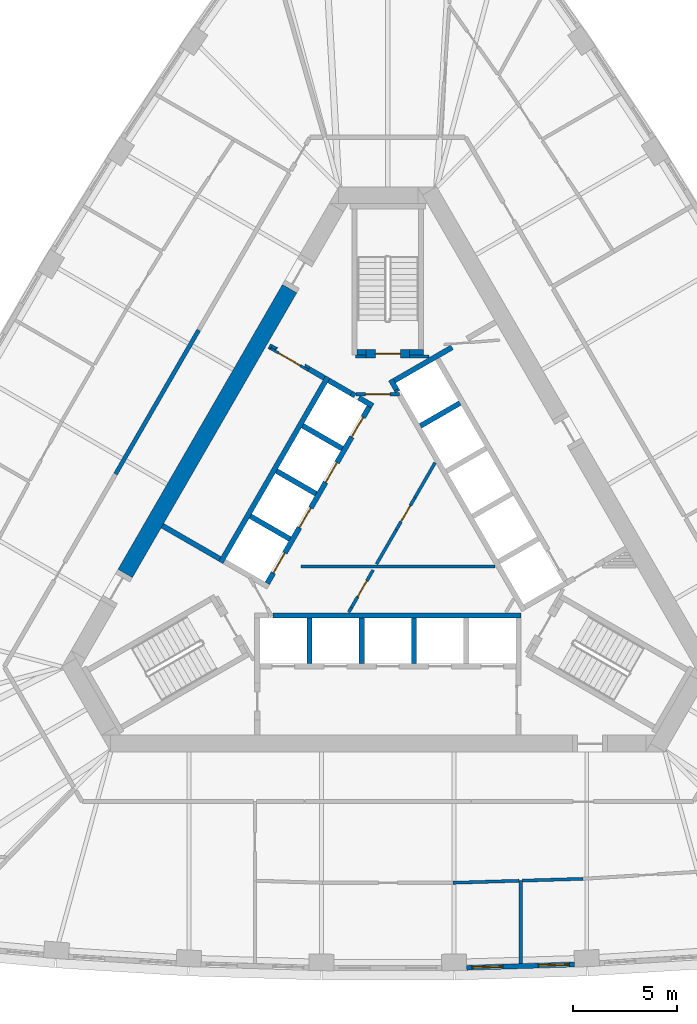
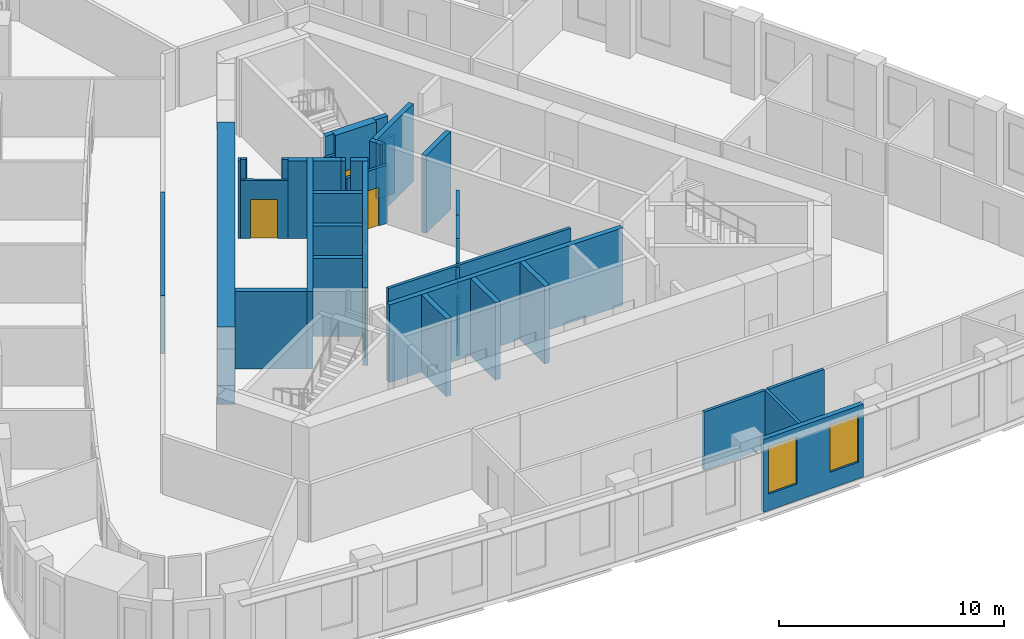
# One storey, part 5 of 11: 40 walls, 9 doors, 2 windows, 11 openings.
"""IFC4 building model written with IfcOpenShell, lengths in metres."""

from ifc_helpers import new_model, si_unit, direction, frame, frame_2d, origin, place, context, subcontext, project, spatial, polyline, rectangle, outline, extrude, material, layer, layer_set, type_object, element, fill, save


model = new_model("IFC4")

# Units and contexts
model_context = context("Model", 3, precision=1e-05, world=origin(), true_north=direction((0.0, 1.0)))
body_context = subcontext(model_context, "Body", "Model", "MODEL_VIEW")
ifc_project = project(units=[si_unit("LENGTHUNIT", "METRE"), si_unit("AREAUNIT", "SQUARE_METRE"), si_unit("VOLUMEUNIT", "CUBIC_METRE"), si_unit("PLANEANGLEUNIT", "RADIAN"), si_unit("MASSUNIT", "GRAM", prefix="KILO")], contexts=[model_context])

# Site, building, storey
site_placement = place(None, origin())
site = spatial("IfcSite", under=ifc_project, at=site_placement, CompositionType="ELEMENT")
building_placement = place(site_placement, origin())
building = spatial("IfcBuilding", under=site, at=building_placement, Name="Mestral Congress Tower", CompositionType="ELEMENT")
storey_placement = place(building_placement, frame((0.0, 0.0, 171.0)))
storey = spatial("IfcBuildingStorey", under=building, at=storey_placement, Name="L40", CompositionType="ELEMENT", Elevation=171.0)

# Walls
ifc_material_1 = material(Name="Fire-rated board partition")
ifc_layer_1 = layer(ifc_material_1, 0.14990234375)
ifc_layer_set_1 = layer_set([ifc_layer_1], Name="Fire-rated board partition")
wall_type_1 = type_object("IfcWallType", Name="Core partition 150", PredefinedType="PARTITIONING", material=ifc_layer_set_1)
wall_1_placement = place(storey_placement, frame((1.050048828125, 8.62548828125, 0.0), z_axis=(0.0, 0.0, 1.0), x_axis=(1.0, 0.0, 0.0)))
element("IfcWall", 1, at=wall_1_placement, inside=storey, type_object=wall_type_1, Name="L40 core wall", PredefinedType="PARTITIONING", context=body_context, shape_type="SweptSolid", body=[
    extrude(rectangle(XDim=0.9287109375, YDim=0.14990234375, at=frame_2d((0.46435546875, 0.0))), origin(), (0.0, 0.0, 1.0), 3.14990234375),
])
wall_2_placement = place(storey_placement, frame((-1.56396484375, 8.62548828125, 0.0), z_axis=(0.0, 0.0, 1.0), x_axis=(1.0, 0.0, 0.0)))
element("IfcWall", 2, at=wall_2_placement, inside=storey, type_object=wall_type_1, Name="L40 core wall", PredefinedType="PARTITIONING", context=body_context, shape_type="SweptSolid", body=[
    extrude(rectangle(XDim=0.513916015625, YDim=0.14990234375, at=frame_2d((0.2568359375, 0.0))), origin(), (0.0, 0.0, 1.0), 3.14990234375),
])
wall_3_placement = place(storey_placement, frame((-4.199951171875, -1.5, 0.0), z_axis=(0.0, 0.0, 1.0), x_axis=(1.0, 0.0, 0.0)))
element("IfcWall", 3, at=wall_3_placement, inside=storey, type_object=wall_type_1, Name="L40 core wall", PredefinedType="PARTITIONING", context=body_context, shape_type="SweptSolid", body=[
    extrude(rectangle(XDim=9.359375, YDim=0.14990234375, at=frame_2d((4.6796875, 0.0))), origin(), (0.0, 0.0, 1.0), 3.14990234375),
])
wall_4_placement = place(storey_placement, frame((-0.54443359375, -1.393310546875, 0.0), z_axis=(0.0, 0.0, 1.0), x_axis=(0.499928740635, 0.866066541489, 0.0)))
element("IfcWall", 4, at=wall_4_placement, inside=storey, type_object=wall_type_1, Name="L40 core wall", PredefinedType="PARTITIONING", context=body_context, shape_type="SweptSolid", body=[
    extrude(rectangle(XDim=1.912353515625, YDim=0.14990234375, at=frame_2d((0.9560546875, 0.0))), origin(), (0.0, 0.0, 1.0), 3.14990234375),
])
wall_5_placement = place(storey_placement, frame((1.311767578125, 1.822021484375, 0.0), z_axis=(0.0, 0.0, 1.0), x_axis=(0.500003549559, 0.866023354436, 0.0)))
element("IfcWall", 5, at=wall_5_placement, inside=storey, type_object=wall_type_1, Name="L40 core wall", PredefinedType="PARTITIONING", context=body_context, shape_type="SweptSolid", body=[
    extrude(rectangle(XDim=1.9296875, YDim=0.14990234375, at=frame_2d((0.96484375, 0.0))), origin(), (0.0, 0.0, 1.0), 3.14990234375),
])
wall_6_placement = place(storey_placement, frame((-1.886962890625, -3.71826171875, 0.0), z_axis=(0.0, 0.0, 1.0), x_axis=(0.500165633897, 0.865929753888, 0.0)))
element("IfcWall", 6, at=wall_6_placement, inside=storey, type_object=wall_type_1, Name="L40 core wall", PredefinedType="PARTITIONING", context=body_context, shape_type="SweptSolid", body=[
    extrude(rectangle(XDim=0.25439453125, YDim=0.14990234375, at=frame_2d((0.127197265625, 0.0))), origin(), (0.0, 0.0, 1.0), 3.14990234375),
])

# Wall, opening, door
wall_7_placement = place(storey_placement, frame((-1.759765625, -3.498046875, 0.0), z_axis=(0.0, 0.0, 1.0), x_axis=(0.499977374825, 0.866038466041, 0.0)))
wall_7 = element("IfcWall", 7, at=wall_7_placement, inside=storey, type_object=wall_type_1, Name="L40 door wall", PredefinedType="PARTITIONING", context=body_context, shape_type="SweptSolid", body=[
    extrude(rectangle(XDim=2.10009765625, YDim=0.14990234375, at=frame_2d((1.050048828125, 0.0))), origin(), (0.0, 0.0, 1.0), 3.14990234375),
])
opening_1_placement = place(wall_7_placement, frame((0.60009765625, 0.0, 0.0)))
opening_1 = element("IfcOpeningElement", 8, at=opening_1_placement, cuts=wall_7, Name="Opening CD1-HUB0", PredefinedType="OPENING", context=body_context, shape_type="SweptSolid", body=[
    extrude(rectangle(XDim=0.89990234375, YDim=2.10009765625, at=frame_2d((0.449951171875, 1.050048828125))), frame((0.0, 0.0849609375, 0.0), z_axis=(0.0, -1.0, 0.0), x_axis=(1.0, 0.0, 0.0)), (0.0, 0.0, 1.0), 0.169921875),
])
ifc_material_2 = material(Name="Fire-rated steel door set", Category="steel")
door_type_1 = type_object("IfcDoorType", Name="Core door CD 900x2100", OperationType="SINGLE_SWING_LEFT", PredefinedType="DOOR", material=ifc_material_2)
door_1_placement = place(opening_1_placement, origin())
door_1 = element("IfcDoor", 9, at=door_1_placement, inside=storey, type_object=door_type_1, Name="Door CD1-HUB0", OperationType="SINGLE_SWING_LEFT", OverallHeight=2.10009765625, OverallWidth=0.89990234375, PredefinedType="DOOR", context=body_context, shape_type="SweptSolid", body=[
    extrude(rectangle(XDim=0.89990234375, YDim=2.10009765625, at=frame_2d((0.449951171875, 1.050048828125))), frame((0.0, 0.02490234375, 0.0), z_axis=(0.0, -1.0, 0.0), x_axis=(1.0, 0.0, 0.0)), (0.0, 0.0, 1.0), 0.050048828125),
])
fill(opening_1, door_1)

wall_8_placement = place(storey_placement, frame((-1.534423828125, 6.800048828125, 0.0), z_axis=(0.0, 0.0, 1.0), x_axis=(1.0, 0.0, 0.0)))
wall_8 = element("IfcWall", 10, at=wall_8_placement, inside=storey, type_object=wall_type_1, Name="L40 door wall", PredefinedType="PARTITIONING", context=body_context, shape_type="SweptSolid", body=[
    extrude(rectangle(XDim=2.099853515625, YDim=0.14990234375, at=frame_2d((1.0498046875, 0.0))), origin(), (0.0, 0.0, 1.0), 3.14990234375),
])
opening_2_placement = place(wall_8_placement, frame((0.449951171875, 0.0, 0.0)))
opening_2 = element("IfcOpeningElement", 11, at=opening_2_placement, cuts=wall_8, Name="Opening CD2-FF", PredefinedType="OPENING", context=body_context, shape_type="SweptSolid", body=[
    extrude(rectangle(XDim=1.199951171875, YDim=2.10009765625, at=frame_2d((0.60009765625, 1.050048828125))), frame((0.0, 0.0849609375, 0.0), z_axis=(0.0, -1.0, 0.0), x_axis=(1.0, 0.0, 0.0)), (0.0, 0.0, 1.0), 0.169921875),
])
door_type_2 = type_object("IfcDoorType", Name="Core door CD 1200x2100", OperationType="SINGLE_SWING_LEFT", PredefinedType="DOOR", material=ifc_material_2)
door_2_placement = place(opening_2_placement, origin())
door_2 = element("IfcDoor", 12, at=door_2_placement, inside=storey, type_object=door_type_2, Name="Door CD2-FF", OperationType="SINGLE_SWING_LEFT", OverallHeight=2.10009765625, OverallWidth=1.199951171875, PredefinedType="DOOR", context=body_context, shape_type="SweptSolid", body=[
    extrude(rectangle(XDim=1.199951171875, YDim=2.10009765625, at=frame_2d((0.60009765625, 1.050048828125))), frame((0.0, 0.02490234375, 0.0), z_axis=(0.0, -1.0, 0.0), x_axis=(1.0, 0.0, 0.0)), (0.0, 0.0, 1.0), 0.050048828125),
])
fill(opening_2, door_2)

wall_9_placement = place(storey_placement, frame((0.41162109375, 0.26318359375, 0.0), z_axis=(0.0, 0.0, 1.0), x_axis=(0.500062916607, 0.865989075817, 0.0)))
wall_9 = element("IfcWall", 13, at=wall_9_placement, inside=storey, type_object=wall_type_1, Name="L40 door wall", PredefinedType="PARTITIONING", context=body_context, shape_type="SweptSolid", body=[
    extrude(rectangle(XDim=1.800048828125, YDim=0.14990234375, at=frame_2d((0.89990234375, 0.0))), origin(), (0.0, 0.0, 1.0), 3.14990234375),
])
opening_3_placement = place(wall_9_placement, frame((0.449951171875, 0.0, 0.0)))
opening_3 = element("IfcOpeningElement", 14, at=opening_3_placement, cuts=wall_9, Name="Opening SD-HUB1", PredefinedType="OPENING", context=body_context, shape_type="SweptSolid", body=[
    extrude(rectangle(XDim=0.89990234375, YDim=2.10009765625, at=frame_2d((0.449951171875, 1.050048828125))), frame((0.0, 0.0849609375, 0.0), z_axis=(0.0, -1.0, 0.0), x_axis=(1.0, 0.0, 0.0)), (0.0, 0.0, 1.0), 0.169921875),
])
door_type_3 = type_object("IfcDoorType", Name="Core door SR 900x2100", OperationType="SINGLE_SWING_LEFT", PredefinedType="DOOR", material=ifc_material_2)
door_3_placement = place(opening_3_placement, origin())
door_3 = element("IfcDoor", 15, at=door_3_placement, inside=storey, type_object=door_type_3, Name="Door SD-HUB1", OperationType="SINGLE_SWING_LEFT", OverallHeight=2.10009765625, OverallWidth=0.89990234375, PredefinedType="DOOR", context=body_context, shape_type="SweptSolid", body=[
    extrude(rectangle(XDim=0.89990234375, YDim=2.10009765625, at=frame_2d((0.449951171875, 1.050048828125))), frame((0.0, 0.02490234375, 0.0), z_axis=(0.0, -1.0, 0.0), x_axis=(1.0, 0.0, 0.0)), (0.0, 0.0, 1.0), 0.050048828125),
])
fill(opening_3, door_3)

ifc_layer_2 = layer(ifc_material_1, 0.1201171875)
ifc_layer_set_2 = layer_set([ifc_layer_2], Name="Fire-rated board partition")
wall_type_2 = type_object("IfcWallType", Name="Core partition 150 door-wall 120", PredefinedType="PARTITIONING", material=ifc_layer_set_2)
wall_10_placement = place(storey_placement, frame((-5.65869140625, 9.01171875, 0.0), z_axis=(0.0, 0.0, 1.0), x_axis=(0.866009402589, -0.500027713859, 0.0)))
wall_10 = element("IfcWall", 16, at=wall_10_placement, inside=storey, type_object=wall_type_2, Name="L40 door wall", PredefinedType="PARTITIONING", context=body_context, shape_type="SweptSolid", body=[
    extrude(rectangle(XDim=2.10009765625, YDim=0.1201171875, at=frame_2d((1.050048828125, 0.0))), origin(), (0.0, 0.0, 1.0), 3.14990234375),
])
opening_4_placement = place(wall_10_placement, frame((0.449951171875, 0.0, 0.0)))
opening_4 = element("IfcOpeningElement", 17, at=opening_4_placement, cuts=wall_10, Name="Opening LB2-WL2", PredefinedType="OPENING", context=body_context, shape_type="SweptSolid", body=[
    extrude(rectangle(XDim=1.199951171875, YDim=2.10009765625, at=frame_2d((0.60009765625, 1.050048828125))), frame((0.0, 0.070068359375, 0.0), z_axis=(0.0, -1.0, 0.0), x_axis=(1.0, 0.0, 0.0)), (0.0, 0.0, 1.0), 0.14013671875),
])
door_type_4 = type_object("IfcDoorType", Name="Core door LB 1200x2100", OperationType="SINGLE_SWING_LEFT", PredefinedType="DOOR", material=ifc_material_2)
door_4_placement = place(opening_4_placement, origin())
door_4 = element("IfcDoor", 18, at=door_4_placement, inside=storey, type_object=door_type_4, Name="Door LB2-WL2", OperationType="SINGLE_SWING_LEFT", OverallHeight=2.10009765625, OverallWidth=1.199951171875, PredefinedType="DOOR", context=body_context, shape_type="SweptSolid", body=[
    extrude(rectangle(XDim=1.199951171875, YDim=2.10009765625, at=frame_2d((0.60009765625, 1.050048828125))), frame((0.0, 0.02490234375, 0.0), z_axis=(0.0, -1.0, 0.0), x_axis=(1.0, 0.0, 0.0)), (0.0, 0.0, 1.0), 0.050048828125),
])
fill(opening_4, door_4)

# Wall
ifc_material_3 = material(Name="Concrete C60/75", Category="concrete")
ifc_layer_3 = layer(ifc_material_3, 0.800048828125)
ifc_layer_set_3 = layer_set([ifc_layer_3], Name="Concrete C60/75")
wall_type_3 = type_object("IfcWallType", Name="Core wall RC 800", PredefinedType="SOLIDWALL", material=ifc_layer_set_3)
wall_11_placement = place(storey_placement, frame((-12.668212890625, -1.841796875, 0.0), z_axis=(0.0, 0.0, 1.0), x_axis=(0.500003640647, 0.866023301845, 0.0)))
element("IfcWall", 19, at=wall_11_placement, inside=storey, type_object=wall_type_3, Name="L40 core wall", PredefinedType="SOLIDWALL", context=body_context, shape_type="SweptSolid", body=[
    extrude(rectangle(XDim=15.8583984375, YDim=0.800048828125, at=frame_2d((7.92919921875, 0.0))), origin(), (0.0, 0.0, 1.0), 4.199951171875),
])

# Wall, openings, windows
ifc_material_4 = material(Name="Precast concrete C40/50 with limestone facing", Category="masonry")
ifc_layer_4 = layer(ifc_material_4, 0.239990234375)
ifc_layer_set_4 = layer_set([ifc_layer_4], Name="Precast concrete C40/50 with limestone facing")
wall_type_4 = type_object("IfcWallType", Name="Facade stone wall 240", PredefinedType="SOLIDWALL", material=ifc_layer_set_4)
wall_12_placement = place(storey_placement, frame((3.80615234375, -20.869873046875, 0.0), z_axis=(0.0, 0.0, 1.0), x_axis=(0.999533441983, 0.030543384845, 0.0)))
wall_12 = element("IfcWall", 20, at=wall_12_placement, inside=storey, type_object=wall_type_4, Name="Facade wall F0-04", PredefinedType="SOLIDWALL", context=body_context, shape_type="SweptSolid", body=[
    extrude(rectangle(XDim=5.20361328125, YDim=0.239990234375, at=frame_2d((2.601806640625, 0.0))), origin(), (0.0, 0.0, 1.0), 3.949951171875),
])
opening_5_placement = place(wall_12_placement, frame((0.248291015625, 0.0, 0.89990234375)))
opening_5 = element("IfcOpeningElement", 21, at=opening_5_placement, cuts=wall_12, Name="Opening W4", PredefinedType="OPENING", context=body_context, shape_type="SweptSolid", body=[
    extrude(rectangle(XDim=1.5, YDim=2.550048828125, at=frame_2d((0.75, 1.27490234375))), frame((0.0, 0.1298828125, 0.0), z_axis=(0.0, -1.0, 0.0), x_axis=(1.0, 0.0, 0.0)), (0.0, 0.0, 1.0), 0.260009765625),
])
opening_6_placement = place(wall_12_placement, frame((3.455078125, 0.0, 0.89990234375)))
opening_6 = element("IfcOpeningElement", 22, at=opening_6_placement, cuts=wall_12, Name="Opening W4", PredefinedType="OPENING", context=body_context, shape_type="SweptSolid", body=[
    extrude(rectangle(XDim=1.5, YDim=2.550048828125, at=frame_2d((0.75, 1.27490234375))), frame((0.0, 0.1298828125, 0.0), z_axis=(0.0, -1.0, 0.0), x_axis=(1.0, 0.0, 0.0)), (0.0, 0.0, 1.0), 0.260009765625),
])
ifc_material_5 = material(Name="Clear low-emissivity double glazing", Category="glass")
window_type = type_object("IfcWindowType", Name="Facade punched window 1500 x 2550 sill 900", PartitioningType="SINGLE_PANEL", PredefinedType="WINDOW", material=ifc_material_5)
window_1_placement = place(opening_5_placement, origin())
window_1 = element("IfcWindow", 23, at=window_1_placement, inside=storey, type_object=window_type, Name="Window F0-04a", OverallHeight=2.550048828125, OverallWidth=1.5, PartitioningType="SINGLE_PANEL", PredefinedType="WINDOW", context=body_context, shape_type="SweptSolid", body=[
    extrude(rectangle(XDim=1.5, YDim=2.550048828125, at=frame_2d((0.75, 1.27490234375))), frame((0.0, 0.0400390625, 0.0), z_axis=(0.0, -1.0, 0.0), x_axis=(1.0, 0.0, 0.0)), (0.0, 0.0, 1.0), 0.06005859375),
])
fill(opening_5, window_1)
window_2_placement = place(opening_6_placement, origin())
window_2 = element("IfcWindow", 24, at=window_2_placement, inside=storey, type_object=window_type, Name="Window F0-04b", OverallHeight=2.550048828125, OverallWidth=1.5, PartitioningType="SINGLE_PANEL", PredefinedType="WINDOW", context=body_context, shape_type="SweptSolid", body=[
    extrude(rectangle(XDim=1.5, YDim=2.550048828125, at=frame_2d((0.75, 1.27490234375))), frame((0.0, 0.0400390625, 0.0), z_axis=(0.0, -1.0, 0.0), x_axis=(1.0, 0.0, 0.0)), (0.0, 0.0, 1.0), 0.06005859375),
])
fill(opening_6, window_2)

# Walls
ifc_material_6 = material(Name="Plasterboard partition on steel studs", Category="steel")
ifc_layer_5 = layer(ifc_material_6, 0.14990234375)
ifc_layer_set_5 = layer_set([ifc_layer_5], Name="Plasterboard partition on steel studs")
wall_type_5 = type_object("IfcWallType", Name="Office partition 150", PredefinedType="PARTITIONING", material=ifc_layer_set_5)
wall_13_placement = place(storey_placement, frame((6.412109375, -16.668212890625, 0.0), z_axis=(0.0, 0.0, 1.0), x_axis=(0.0, -1.0, 0.0)))
element("IfcWall", 25, at=wall_13_placement, inside=storey, type_object=wall_type_5, Name="Partition", PredefinedType="PARTITIONING", context=body_context, shape_type="SweptSolid", body=[
    extrude(rectangle(XDim=4.001953125, YDim=0.14990234375, at=frame_2d((2.0009765625, 0.0))), origin(), (0.0, 0.0, 1.0), 3.14990234375),
])
wall_14_placement = place(storey_placement, frame((3.141357421875, -16.768310546875, 0.0), z_axis=(0.0, 0.0, 1.0), x_axis=(0.999533369646, 0.030545751995, 0.0)))
element("IfcWall", 26, at=wall_14_placement, inside=storey, type_object=wall_type_5, Name="Partition", PredefinedType="PARTITIONING", context=body_context, shape_type="SweptSolid", body=[
    extrude(rectangle(XDim=3.197021484375, YDim=0.14990234375, at=frame_2d((1.5986328125, 0.0))), origin(), (0.0, 0.0, 1.0), 3.14990234375),
])
wall_15_placement = place(storey_placement, frame((6.487060546875, -16.666015625, 0.0), z_axis=(0.0, 0.0, 1.0), x_axis=(0.999533978083, 0.030525835896, 0.0)))
element("IfcWall", 27, at=wall_15_placement, inside=storey, type_object=wall_type_5, Name="Partition", PredefinedType="PARTITIONING", context=body_context, shape_type="SweptSolid", body=[
    extrude(rectangle(XDim=2.935302734375, YDim=0.14990234375, at=frame_2d((1.4677734375, 0.0))), origin(), (0.0, 0.0, 1.0), 3.14990234375),
])
ifc_material_7 = material(Name="Dense masonry wall, plastered", Category="masonry")
ifc_layer_6 = layer(ifc_material_7, 0.199951171875)
ifc_layer_set_6 = layer_set([ifc_layer_6], Name="Dense masonry wall, plastered")
wall_type_6 = type_object("IfcWallType", Name="Office tenancy wall 200", PredefinedType="PARTITIONING", material=ifc_layer_set_6)
wall_16_placement = place(storey_placement, frame((-9.12646484375, 9.892578125, 0.0), z_axis=(0.0, 0.0, 1.0), x_axis=(-0.499995158272, -0.866028199139, 0.0)))
element("IfcWall", 28, at=wall_16_placement, inside=storey, type_object=wall_type_6, Name="Tenancy wall", PredefinedType="PARTITIONING", context=body_context, shape_type="SweptSolid", body=[
    extrude(rectangle(XDim=8.0078125, YDim=0.199951171875, at=frame_2d((4.00390625, 0.0))), origin(), (0.0, 0.0, 1.0), 3.14990234375),
])
ifc_layer_7 = layer(ifc_material_3, 0.25)
ifc_layer_set_7 = layer_set([ifc_layer_7], Name="Concrete C60/75")
wall_type_7 = type_object("IfcWallType", Name="Shaft wall RC 250", PredefinedType="SOLIDWALL", material=ifc_layer_set_7)
wall_17_placement = place(storey_placement, frame((-5.544921875, -3.875, 0.0), z_axis=(0.0, 0.0, 1.0), x_axis=(1.0, 0.0, 0.0)))
element("IfcWall", 29, at=wall_17_placement, inside=storey, type_object=wall_type_7, Name="L40 core wall", PredefinedType="SOLIDWALL", context=body_context, shape_type="SweptSolid", body=[
    extrude(rectangle(XDim=11.969970703125, YDim=0.25, at=frame_2d((5.98486328125, 0.0))), origin(), (0.0, 0.0, 1.0), 4.199951171875),
])
for number, where, z_axis, x_axis, name in (
    (30, (1.260009765625, -4.0, 0.0), (0.0, 0.0, 1.0), (0.0, -1.0, 0.0), "L40 core wall"),
    (31, (-1.260009765625, -4.0, 0.0), (0.0, 0.0, 1.0), (0.0, -1.0, 0.0), "L40 core wall"),
    (32, (-3.780029296875, -4.0, 0.0), (0.0, 0.0, 1.0), (0.0, -1.0, 0.0), "L40 core wall"),
):
    element("IfcWall", number, at=place(storey_placement, frame(where, z_axis=z_axis, x_axis=x_axis)), inside=storey, type_object=wall_type_7, Name=name, PredefinedType="SOLIDWALL", context=body_context, shape_type="SweptSolid", body=[
        extrude(rectangle(XDim=2.199951171875, YDim=0.25, at=frame_2d((1.10009765625, 0.0))), origin(), (0.0, 0.0, 1.0), 4.199951171875),
    ])
wall_18_placement = place(storey_placement, frame((0.473388671875, 6.93017578125, 0.0), z_axis=(0.0, 0.0, 1.0), x_axis=(-0.49972245349, 0.866185586049, 0.0)))
element("IfcWall", 33, at=wall_18_placement, inside=storey, type_object=wall_type_7, Name="L40 core wall", PredefinedType="SOLIDWALL", context=body_context, shape_type="SweptSolid", body=[
    extrude(rectangle(XDim=0.10986328125, YDim=0.25, at=frame_2d((0.054931640625, 0.0))), origin(), (0.0, 0.0, 1.0), 4.199951171875),
])
wall_19_placement = place(storey_placement, frame((0.41748046875, 7.027099609375, 0.0), z_axis=(0.0, 0.0, 1.0), x_axis=(-0.500210807569, 0.865903659763, 0.0)))
element("IfcWall", 34, at=wall_19_placement, inside=storey, type_object=wall_type_7, Name="L40 core wall", PredefinedType="SOLIDWALL", context=body_context, shape_type="SweptSolid", body=[
    extrude(rectangle(XDim=0.548095703125, YDim=0.25, at=frame_2d((0.27392578125, 0.0))), origin(), (0.0, 0.0, 1.0), 4.199951171875),
])
wall_20_placement = place(storey_placement, frame((3.10009765625, 9.064453125, 0.0), z_axis=(0.0, 0.0, 1.0), x_axis=(-0.866030133475, -0.499991807846, 0.0)))
element("IfcWall", 35, at=wall_20_placement, inside=storey, type_object=wall_type_7, Name="L40 core wall", PredefinedType="SOLIDWALL", context=body_context, shape_type="SweptSolid", body=[
    extrude(rectangle(XDim=3.216796875, YDim=0.25, at=frame_2d((1.6083984375, 0.0))), origin(), (0.0, 0.0, 1.0), 4.199951171875),
])
wall_21_placement = place(storey_placement, frame((1.57421875, 5.273681640625, 0.0), z_axis=(0.0, 0.0, 1.0), x_axis=(0.866028486751, 0.499994660107, 0.0)))
element("IfcWall", 36, at=wall_21_placement, inside=storey, type_object=wall_type_7, Name="L40 core wall", PredefinedType="SOLIDWALL", context=body_context, shape_type="SweptSolid", body=[
    extrude(rectangle(XDim=2.19970703125, YDim=0.25, at=frame_2d((1.099853515625, 0.0))), origin(), (0.0, 0.0, 1.0), 4.199951171875),
])
wall_22_placement = place(storey_placement, frame((-8.06005859375, -1.310546875, 0.0), z_axis=(0.0, 0.0, 1.0), x_axis=(0.50000273126, 0.866023826885, 0.0)))
element("IfcWall", 37, at=wall_22_placement, inside=storey, type_object=wall_type_7, Name="L40 core wall", PredefinedType="SOLIDWALL", context=body_context, shape_type="SweptSolid", body=[
    extrude(rectangle(XDim=10.330078125, YDim=0.25, at=frame_2d((5.1650390625, 0.0))), origin(), (0.0, 0.0, 1.0), 4.199951171875),
])
wall_23_placement = place(storey_placement, frame((-1.75830078125, 6.834716796875, 0.0), z_axis=(0.0, 0.0, 1.0), x_axis=(0.865982457891, -0.500074377092, 0.0)))
element("IfcWall", 38, at=wall_23_placement, inside=storey, type_object=wall_type_7, Name="L40 core wall", PredefinedType="SOLIDWALL", context=body_context, shape_type="SweptSolid", body=[
    extrude(rectangle(XDim=0.2001953125, YDim=0.25, at=frame_2d((0.10009765625, 0.0))), origin(), (0.0, 0.0, 1.0), 4.199951171875),
])
wall_24_placement = place(storey_placement, frame((-1.760009765625, 6.835693359375, 0.0), z_axis=(0.0, 0.0, 1.0), x_axis=(-0.865952863304, 0.500125622755, 0.0)))
element("IfcWall", 39, at=wall_24_placement, inside=storey, type_object=wall_type_7, Name="L40 core wall", PredefinedType="SOLIDWALL", context=body_context, shape_type="SweptSolid", body=[
    extrude(rectangle(XDim=1.258056640625, YDim=0.25, at=frame_2d((0.62890625, 0.0))), origin(), (0.0, 0.0, 1.0), 4.199951171875),
])
wall_25_placement = place(storey_placement, frame((-0.7275390625, 6.23974609375, 0.0), z_axis=(0.0, 0.0, 1.0), x_axis=(-0.865955664968, 0.500120771724, 0.0)))
element("IfcWall", 40, at=wall_25_placement, inside=storey, type_object=wall_type_7, Name="L40 core wall", PredefinedType="SOLIDWALL", context=body_context, shape_type="SweptSolid", body=[
    extrude(rectangle(XDim=0.778076171875, YDim=0.25, at=frame_2d((0.38916015625, 0.0))), origin(), (0.0, 0.0, 1.0), 4.199951171875),
])
for number, where, z_axis, x_axis, name in (
    (41, (-2.2041015625, 4.182373046875, 0.0), (0.0, 0.0, 1.0), (-0.866008176907, 0.50002983664, 0.0), "L40 core wall"),
    (42, (-5.369384765625, 3.10009765625, 0.0), (0.0, 0.0, 1.0), (0.866008176907, -0.50002983664, 0.0), "L40 core wall"),
    (43, (-4.72412109375, -0.182373046875, 0.0), (0.0, 0.0, 1.0), (-0.866008176907, 0.50002983664, 0.0), "L40 core wall"),
):
    element("IfcWall", number, at=place(storey_placement, frame(where, z_axis=z_axis, x_axis=x_axis)), inside=storey, type_object=wall_type_7, Name=name, PredefinedType="SOLIDWALL", context=body_context, shape_type="SweptSolid", body=[
        extrude(rectangle(XDim=2.199951171875, YDim=0.25, at=frame_2d((1.10009765625, 0.0))), origin(), (0.0, 0.0, 1.0), 4.199951171875),
    ])
wall_26_placement = place(storey_placement, frame((-8.10595703125, -1.139892578125, 0.0), z_axis=(0.0, 0.0, 1.0), x_axis=(-0.866008981251, 0.500028443584, 0.0)))
element("IfcWall", 44, at=wall_26_placement, inside=storey, type_object=wall_type_7, Name="L40 core wall", PredefinedType="SOLIDWALL", context=body_context, shape_type="SweptSolid", body=[
    extrude(rectangle(XDim=3.199951171875, YDim=0.25, at=frame_2d((1.60009765625, 0.0))), origin(), (0.0, 0.0, 1.0), 4.199951171875),
])
wall_27_placement = place(storey_placement, frame((-5.724609375, 9.124755859375, 0.0), z_axis=(0.0, 0.0, 1.0), x_axis=(0.866185586049, -0.49972245349, 0.0)))
element("IfcWall", 45, at=wall_27_placement, inside=storey, type_object=wall_type_7, Name="L40 core wall", PredefinedType="SOLIDWALL", context=body_context, shape_type="SweptSolid", body=[
    extrude(rectangle(XDim=0.10986328125, YDim=0.25, at=frame_2d((0.054931640625, 0.0))), origin(), (0.0, 0.0, 1.0), 4.199951171875),
])
wall_28_placement = place(storey_placement, frame((-3.06591796875, 7.58984375, 0.0), z_axis=(0.0, 0.0, 1.0), x_axis=(-0.866081358704, 0.49990307071, 0.0)))
element("IfcWall", 46, at=wall_28_placement, inside=storey, type_object=wall_type_7, Name="L40 core wall", PredefinedType="SOLIDWALL", context=body_context, shape_type="SweptSolid", body=[
    extrude(rectangle(XDim=0.858154296875, YDim=0.25, at=frame_2d((0.42919921875, 0.0))), origin(), (0.0, 0.0, 1.0), 4.199951171875),
])
placement = place(storey_placement, origin())
element("IfcWall", 47, at=placement, inside=storey, type_object=wall_type_7, Name="L40 core wall", PredefinedType="SOLIDWALL", context=body_context, shape_type="SweptSolid", body=[
    extrude(outline(polyline([(-3.748291015625, 8.1279296875), (-3.813232421875, 8.015380859375), (-4.026611328125, 8.138671875), (-4.0166015625, 8.156005859375), (-4.007568359375, 8.17333984375), (-4.000244140625, 8.191650390625), (-3.994873046875, 8.21044921875), (-3.991455078125, 8.229736328125), (-3.98974609375, 8.24951171875), (-3.989990234375, 8.267578125), (-3.748291015625, 8.1279296875)])), origin(), (0.0, 0.0, 1.0), 4.199951171875),
])
element("IfcWall", 48, at=placement, inside=storey, type_object=wall_type_7, Name="L40 core wall", PredefinedType="SOLIDWALL", context=body_context, shape_type="SweptSolid", body=[
    extrude(outline(polyline([(-5.688720703125, 8.959716796875), (-5.690185546875, 8.960693359375), (-5.565185546875, 9.177001953125), (-5.318603515625, 9.03466796875), (-5.334716796875, 9.02587890625), (-5.3505859375, 9.0146484375), (-5.36572265625, 9.001953125), (-5.37939453125, 8.98779296875), (-5.3916015625, 8.972412109375), (-5.402099609375, 8.955810546875), (-5.412109375, 8.938720703125), (-5.628662109375, 9.063720703125), (-5.628662109375, 9.063720703125), (-5.688720703125, 8.959716796875)])), origin(), (0.0, 0.0, 1.0), 4.199951171875),
])

# Wall, openings, doors
wall_31_placement = place(storey_placement, frame((-0.898193359375, 6.194091796875, 0.0), z_axis=(0.0, 0.0, 1.0), x_axis=(-0.499996202215, -0.866027596426, 0.0)))
wall_31 = element("IfcWall", 49, at=wall_31_placement, inside=storey, type_object=wall_type_7, Name="L40 door wall", PredefinedType="SOLIDWALL", context=body_context, shape_type="SweptSolid", body=[
    extrude(rectangle(XDim=9.830078125, YDim=0.25, at=frame_2d((4.9150390625, 0.0))), origin(), (0.0, 0.0, 1.0), 4.199951171875),
])
opening_7_placement = place(wall_31_placement, frame((0.5849609375, 0.0, 0.0)))
opening_7 = element("IfcOpeningElement", 50, at=opening_7_placement, cuts=wall_31, Name="Opening LD-NWB1", PredefinedType="OPENING", context=body_context, shape_type="SweptSolid", body=[
    extrude(rectangle(XDim=1.10009765625, YDim=2.10009765625, at=frame_2d((0.550048828125, 1.050048828125))), frame((0.0, 0.135009765625, 0.0), z_axis=(0.0, -1.0, 0.0), x_axis=(1.0, 0.0, 0.0)), (0.0, 0.0, 1.0), 0.27001953125),
])
opening_8_placement = place(wall_31_placement, frame((3.10498046875, 0.0, 0.0)))
opening_8 = element("IfcOpeningElement", 51, at=opening_8_placement, cuts=wall_31, Name="Opening LD-NWB2", PredefinedType="OPENING", context=body_context, shape_type="SweptSolid", body=[
    extrude(rectangle(XDim=1.10009765625, YDim=2.10009765625, at=frame_2d((0.550048828125, 1.050048828125))), frame((0.0, 0.135009765625, 0.0), z_axis=(0.0, -1.0, 0.0), x_axis=(1.0, 0.0, 0.0)), (0.0, 0.0, 1.0), 0.27001953125),
])
opening_9_placement = place(wall_31_placement, frame((5.625, 0.0, 0.0)))
opening_9 = element("IfcOpeningElement", 52, at=opening_9_placement, cuts=wall_31, Name="Opening LD-NWB3", PredefinedType="OPENING", context=body_context, shape_type="SweptSolid", body=[
    extrude(rectangle(XDim=1.10009765625, YDim=2.10009765625, at=frame_2d((0.550048828125, 1.050048828125))), frame((0.0, 0.135009765625, 0.0), z_axis=(0.0, -1.0, 0.0), x_axis=(1.0, 0.0, 0.0)), (0.0, 0.0, 1.0), 0.27001953125),
])
opening_10_placement = place(wall_31_placement, frame((8.14501953125, 0.0, 0.0)))
opening_10 = element("IfcOpeningElement", 53, at=opening_10_placement, cuts=wall_31, Name="Opening LD-NWB4", PredefinedType="OPENING", context=body_context, shape_type="SweptSolid", body=[
    extrude(rectangle(XDim=1.10009765625, YDim=2.10009765625, at=frame_2d((0.550048828125, 1.050048828125))), frame((0.0, 0.135009765625, 0.0), z_axis=(0.0, -1.0, 0.0), x_axis=(1.0, 0.0, 0.0)), (0.0, 0.0, 1.0), 0.27001953125),
])
door_type_5 = type_object("IfcDoorType", Name="Core door LD 1100x2100", OperationType="DOUBLE_DOOR_SLIDING", PredefinedType="DOOR", material=ifc_material_2)
door_5_placement = place(opening_7_placement, origin())
door_5 = element("IfcDoor", 54, at=door_5_placement, inside=storey, type_object=door_type_5, Name="Door LD-NWB1", OperationType="DOUBLE_DOOR_SLIDING", OverallHeight=2.10009765625, OverallWidth=1.10009765625, PredefinedType="DOOR", context=body_context, shape_type="SweptSolid", body=[
    extrude(rectangle(XDim=1.10009765625, YDim=2.10009765625, at=frame_2d((0.550048828125, 1.050048828125))), frame((0.0, 0.02490234375, 0.0), z_axis=(0.0, -1.0, 0.0), x_axis=(1.0, 0.0, 0.0)), (0.0, 0.0, 1.0), 0.050048828125),
])
fill(opening_7, door_5)
door_6_placement = place(opening_8_placement, origin())
door_6 = element("IfcDoor", 55, at=door_6_placement, inside=storey, type_object=door_type_5, Name="Door LD-NWB2", OperationType="DOUBLE_DOOR_SLIDING", OverallHeight=2.10009765625, OverallWidth=1.10009765625, PredefinedType="DOOR", context=body_context, shape_type="SweptSolid", body=[
    extrude(rectangle(XDim=1.10009765625, YDim=2.10009765625, at=frame_2d((0.550048828125, 1.050048828125))), frame((0.0, 0.02490234375, 0.0), z_axis=(0.0, -1.0, 0.0), x_axis=(1.0, 0.0, 0.0)), (0.0, 0.0, 1.0), 0.050048828125),
])
fill(opening_8, door_6)
door_7_placement = place(opening_9_placement, origin())
door_7 = element("IfcDoor", 56, at=door_7_placement, inside=storey, type_object=door_type_5, Name="Door LD-NWB3", OperationType="DOUBLE_DOOR_SLIDING", OverallHeight=2.10009765625, OverallWidth=1.10009765625, PredefinedType="DOOR", context=body_context, shape_type="SweptSolid", body=[
    extrude(rectangle(XDim=1.10009765625, YDim=2.10009765625, at=frame_2d((0.550048828125, 1.050048828125))), frame((0.0, 0.02490234375, 0.0), z_axis=(0.0, -1.0, 0.0), x_axis=(1.0, 0.0, 0.0)), (0.0, 0.0, 1.0), 0.050048828125),
])
fill(opening_9, door_7)
door_8_placement = place(opening_10_placement, origin())
door_8 = element("IfcDoor", 57, at=door_8_placement, inside=storey, type_object=door_type_5, Name="Door LD-NWB4", OperationType="DOUBLE_DOOR_SLIDING", OverallHeight=2.10009765625, OverallWidth=1.10009765625, PredefinedType="DOOR", context=body_context, shape_type="SweptSolid", body=[
    extrude(rectangle(XDim=1.10009765625, YDim=2.10009765625, at=frame_2d((0.550048828125, 1.050048828125))), frame((0.0, 0.02490234375, 0.0), z_axis=(0.0, -1.0, 0.0), x_axis=(1.0, 0.0, 0.0)), (0.0, 0.0, 1.0), 0.050048828125),
])
fill(opening_10, door_8)

# Walls
ifc_layer_8 = layer(ifc_material_3, 0.25)
ifc_layer_set_8 = layer_set([ifc_layer_8], Name="Concrete C60/75")
wall_type_8 = type_object("IfcWallType", Name="Stair wall RC 250", PredefinedType="SOLIDWALL", material=ifc_layer_set_8)
wall_32_placement = place(storey_placement, frame((1.050048828125, 8.824951171875, 0.0), z_axis=(0.0, 0.0, 1.0), x_axis=(1.0, 0.0, 0.0)))
element("IfcWall", 58, at=wall_32_placement, inside=storey, type_object=wall_type_8, Name="L40 core wall", PredefinedType="SOLIDWALL", context=body_context, shape_type="SweptSolid", body=[
    extrude(rectangle(XDim=0.675048828125, YDim=0.25, at=frame_2d((0.33740234375, 0.0))), origin(), (0.0, 0.0, 1.0), 4.199951171875),
])
wall_33_placement = place(storey_placement, frame((-1.47509765625, 8.824951171875, 0.0), z_axis=(0.0, 0.0, 1.0), x_axis=(1.0, 0.0, 0.0)))
element("IfcWall", 59, at=wall_33_placement, inside=storey, type_object=wall_type_8, Name="L40 core wall", PredefinedType="SOLIDWALL", context=body_context, shape_type="SweptSolid", body=[
    extrude(rectangle(XDim=0.425048828125, YDim=0.25, at=frame_2d((0.21240234375, 0.0))), origin(), (0.0, 0.0, 1.0), 4.199951171875),
])

# Wall, opening, door
ifc_layer_9 = layer(ifc_material_3, 0.39990234375)
ifc_layer_set_9 = layer_set([ifc_layer_9], Name="Concrete C60/75")
wall_type_9 = type_object("IfcWallType", Name="Stair wall RC 250 door-wall 400", PredefinedType="SOLIDWALL", material=ifc_layer_set_9)
wall_34_placement = place(storey_placement, frame((1.050048828125, 8.75, 0.0), z_axis=(0.0, 0.0, 1.0), x_axis=(-1.0, 0.0, 0.0)))
wall_34 = element("IfcWall", 60, at=wall_34_placement, inside=storey, type_object=wall_type_9, Name="L40 door wall", PredefinedType="SOLIDWALL", context=body_context, shape_type="SweptSolid", body=[
    extrude(rectangle(XDim=2.10009765625, YDim=0.39990234375, at=frame_2d((1.050048828125, 0.0))), origin(), (0.0, 0.0, 1.0), 4.199951171875),
])
opening_11_placement = place(wall_34_placement, frame((0.449951171875, 0.0, 0.0)))
opening_11 = element("IfcOpeningElement", 61, at=opening_11_placement, cuts=wall_34, Name="Opening ST-D2", PredefinedType="OPENING", context=body_context, shape_type="SweptSolid", body=[
    extrude(rectangle(XDim=1.199951171875, YDim=2.10009765625, at=frame_2d((0.60009765625, 1.050048828125))), frame((0.0, 0.2099609375, 0.0), z_axis=(0.0, -1.0, 0.0), x_axis=(1.0, 0.0, 0.0)), (0.0, 0.0, 1.0), 0.419921875),
])
door_type_6 = type_object("IfcDoorType", Name="Core door ST 1200x2100", OperationType="SINGLE_SWING_LEFT", PredefinedType="DOOR", material=ifc_material_2)
door_9_placement = place(opening_11_placement, origin())
door_9 = element("IfcDoor", 62, at=door_9_placement, inside=storey, type_object=door_type_6, Name="Door ST-D2", OperationType="SINGLE_SWING_LEFT", OverallHeight=2.10009765625, OverallWidth=1.199951171875, PredefinedType="DOOR", context=body_context, shape_type="SweptSolid", body=[
    extrude(rectangle(XDim=1.199951171875, YDim=2.10009765625, at=frame_2d((0.60009765625, 1.050048828125))), frame((0.0, 0.02490234375, 0.0), z_axis=(0.0, -1.0, 0.0), x_axis=(1.0, 0.0, 0.0)), (0.0, 0.0, 1.0), 0.050048828125),
])
fill(opening_11, door_9)

save(model, "model.ifc")
